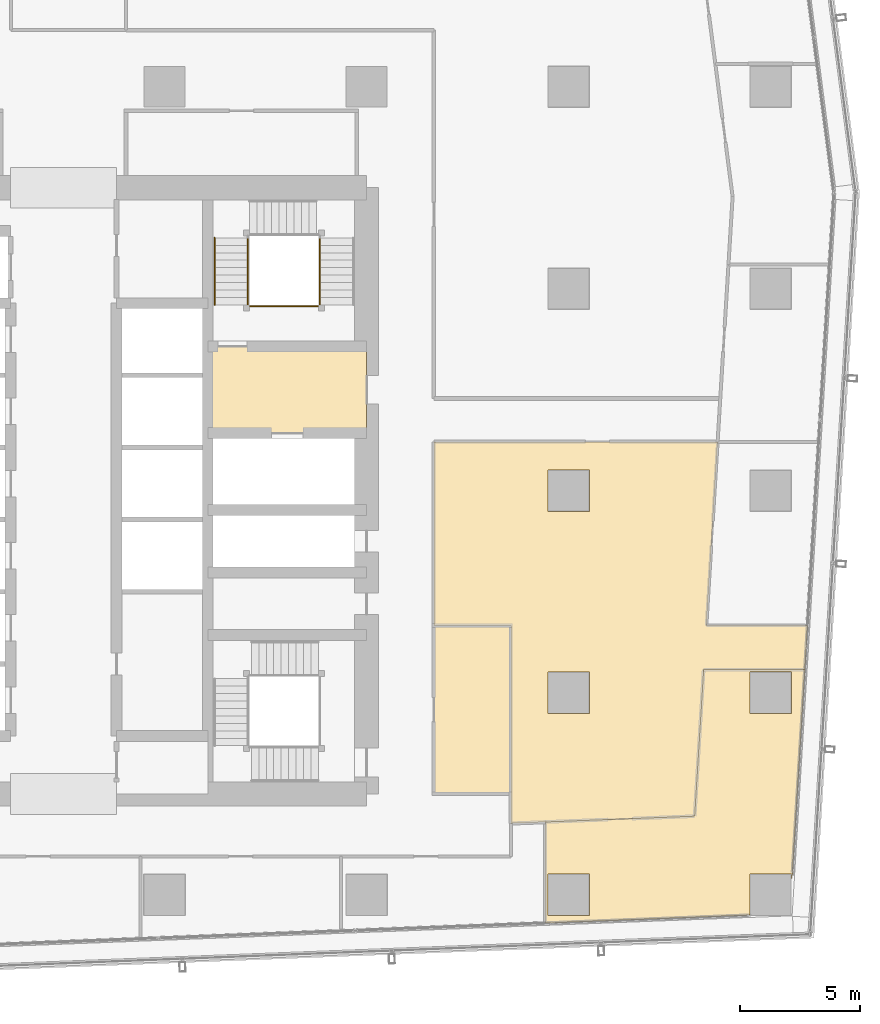
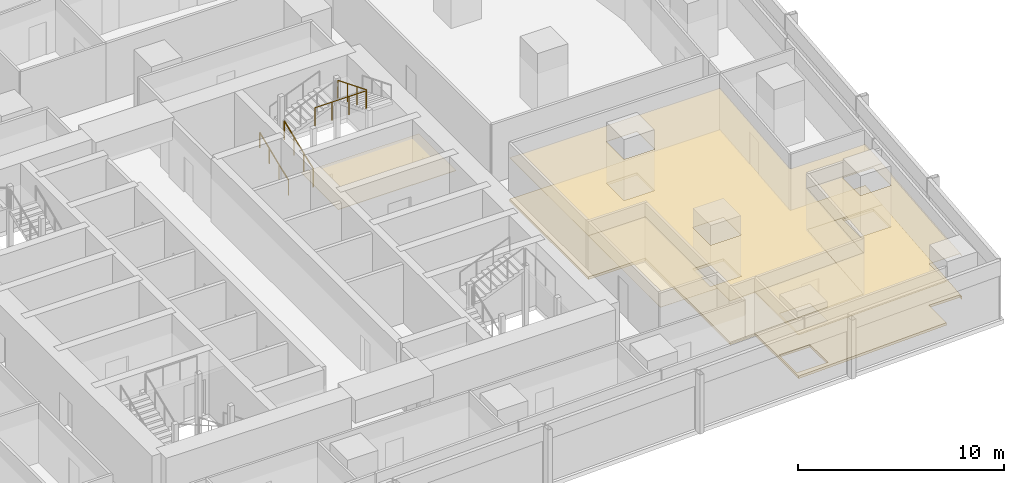
# One storey, part 38 of 40: 6 coverings, 4 railings.
"""IFC4 building model written with IfcOpenShell, lengths in metres."""

from ifc_helpers import new_model, si_unit, direction, frame, origin, origin_2d, place, context, subcontext, project, spatial, polyline, circle, outline, extrude, material, layer, layer_set, type_object, element, save


model = new_model("IFC4")

# Units and contexts
model_context = context("Model", 3, precision=1e-05, world=origin(), true_north=direction((0.0, 1.0)))
body_context = subcontext(model_context, "Body", "Model", "MODEL_VIEW")
ifc_project = project(units=[si_unit("LENGTHUNIT", "METRE"), si_unit("AREAUNIT", "SQUARE_METRE"), si_unit("VOLUMEUNIT", "CUBIC_METRE"), si_unit("PLANEANGLEUNIT", "RADIAN"), si_unit("MASSUNIT", "GRAM", prefix="KILO")], contexts=[model_context])

# Site, building, storey
site_placement = place(None, origin())
site = spatial("IfcSite", under=ifc_project, at=site_placement, CompositionType="ELEMENT")
building_placement = place(site_placement, origin())
building = spatial("IfcBuilding", under=site, at=building_placement, Name="Rekha Terrace Tower", CompositionType="ELEMENT")
storey_placement = place(building_placement, frame((0.0, 0.0, 125.300048828125)))
storey = spatial("IfcBuildingStorey", under=building, at=storey_placement, Name="L31", CompositionType="ELEMENT", Elevation=125.300048828125)

# Coverings
ifc_material_1 = material(Name="Mineral fibre tile in exposed grid", Category="finish")
ifc_layer_1 = layer(ifc_material_1, 0.02001953125)
ifc_layer_set_1 = layer_set([ifc_layer_1], Name="Mineral fibre tile in exposed grid")
covering_type_1 = type_object("IfcCoveringType", Name="CL1 600x1200 office grid ceiling", PredefinedType="CEILING", material=ifc_layer_set_1)
covering_1_placement = place(storey_placement, frame((0.0, 0.0, 2.579833984375)))
element("IfcCovering", 1, at=covering_1_placement, inside=storey, type_object=covering_type_1, Name="Ceiling L31-O1b", PredefinedType="CEILING", context=body_context, shape_type="SweptSolid", body=[
    extrude(outline(polyline([(64.9951171875, 35.636962890625), (53.199951171875, 35.636962890625), (53.199951171875, 28.0009765625), (56.39990234375, 28.0009765625), (56.39990234375, 19.77392578125), (57.85205078125, 19.8310546875), (64.041015625, 20.071044921875), (64.4150390625, 26.166015625), (68.623046875, 26.166015625), (68.735107421875, 28.0), (64.527099609375, 28.0), (64.9951171875, 35.636962890625)]), holes=[polyline([(59.6650390625, 26.06494140625), (59.6650390625, 24.3349609375), (57.93505859375, 24.3349609375), (57.93505859375, 26.06494140625), (59.6650390625, 26.06494140625)]), polyline([(59.6650390625, 32.735107421875), (57.93505859375, 32.735107421875), (57.93505859375, 34.465087890625), (59.6650390625, 34.465087890625), (59.6650390625, 32.735107421875)])]), origin(), (0.0, 0.0, 1.0), 0.02001953125),
])
covering_2_placement = place(storey_placement, frame((0.0, 0.0, 2.579833984375)))
element("IfcCovering", 2, at=covering_2_placement, inside=storey, type_object=covering_type_1, Name="Ceiling L31-18", PredefinedType="CEILING", context=body_context, shape_type="SweptSolid", body=[
    extrude(outline(polyline([(68.090087890625, 17.47998046875), (68.623046875, 26.166015625), (64.4150390625, 26.166015625), (64.041015625, 20.071044921875), (57.8369140625, 19.830078125), (57.8369140625, 15.6259765625), (66.3349609375, 15.95703125), (66.3349609375, 17.6650390625), (68.06494140625, 17.6650390625), (68.06494140625, 17.48095703125), (68.090087890625, 17.47998046875)]), holes=[polyline([(68.06494140625, 24.3349609375), (66.3349609375, 24.3349609375), (66.3349609375, 26.06494140625), (68.06494140625, 26.06494140625), (68.06494140625, 24.3349609375)]), polyline([(59.6650390625, 15.93505859375), (57.93505859375, 15.93505859375), (57.93505859375, 17.6650390625), (59.6650390625, 17.6650390625), (59.6650390625, 15.93505859375)])]), origin(), (0.0, 0.0, 1.0), 0.02001953125),
])
ifc_material_2 = material(Name="Fibre cement board", Category="finish")
ifc_layer_2 = layer(ifc_material_2, 0.014892578125)
ifc_layer_set_2 = layer_set([ifc_layer_2], Name="Fibre cement board")
covering_type_2 = type_object("IfcCoveringType", Name="CL2 moisture-resistant board ceiling", PredefinedType="CEILING", material=ifc_layer_set_2)
covering_3_placement = place(storey_placement, frame((0.0, 0.0, 2.5849609375)))
element("IfcCovering", 3, at=covering_3_placement, inside=storey, type_object=covering_type_2, Name="Ceiling L31-WCM2", PredefinedType="CEILING", context=body_context, shape_type="SweptSolid", body=[
    extrude(outline(polyline([(56.39990234375, 28.0), (53.199951171875, 28.0), (53.199951171875, 21.0), (56.39990234375, 21.0), (56.39990234375, 28.0)])), origin(), (0.0, 0.0, 1.0), 0.014892578125),
])
ifc_material_3 = material(Name="Powder-coated aluminium pan", Category="aluminium")
ifc_layer_3 = layer(ifc_material_3, 0.030029296875)
ifc_layer_set_3 = layer_set([ifc_layer_3], Name="Powder-coated aluminium pan")
covering_type_3 = type_object("IfcCoveringType", Name="CL3 300x1200 metal pan ceiling", PredefinedType="CEILING", material=ifc_layer_set_3)
covering_4_placement = place(storey_placement, frame((0.0, 0.0, 2.570068359375)))
element("IfcCovering", 4, at=covering_4_placement, inside=storey, type_object=covering_type_3, Name="Ceiling L31-FLB2", PredefinedType="CEILING", context=body_context, shape_type="SweptSolid", body=[
    extrude(outline(polyline([(50.39990234375, 39.60009765625), (43.800048828125, 39.60009765625), (43.800048828125, 36.0), (50.39990234375, 36.0), (50.39990234375, 39.60009765625)])), origin(), (0.0, 0.0, 1.0), 0.02978515625),
])

# Railings
ifc_material_4 = material(Name="Stainless steel balustrade", Category="steel")
railing_type_1 = type_object("IfcRailingType", Name="GR1 1100 stair guard", PredefinedType="GUARDRAIL", material=ifc_material_4)
railing_1_placement = place(storey_placement, frame((45.465087890625, 41.324951171875, 0.125)))
element("IfcRailing", 5, at=railing_1_placement, inside=storey, type_object=railing_type_1, Name="Guard ST2 L31 flight 1", PredefinedType="GUARDRAIL", context=body_context, shape_type="SweptSolid", body=[
    extrude(circle(Radius=0.02392578125, at=origin_2d()), frame((0.0, 0.0, 1.076171875), z_axis=(0.0, 0.927443287984, 0.373963831907), x_axis=(-1.0, 0.0, 0.0)), (0.0, 0.0, 1.0), 3.00830078125),
    extrude(circle(Radius=0.02099609375, at=origin_2d()), origin(), (0.0, 0.0, 1.0), 1.052001953125),
    extrude(circle(Radius=0.02099609375, at=origin_2d()), frame((0.0, 0.929931640625, 0.375)), (0.0, 0.0, 1.0), 1.052001953125),
    extrude(circle(Radius=0.02099609375, at=origin_2d()), frame((0.0, 1.860107421875, 0.75)), (0.0, 0.0, 1.0), 1.052001953125),
    extrude(circle(Radius=0.02099609375, at=origin_2d()), frame((0.0, 2.7900390625, 1.125)), (0.0, 0.0, 1.0), 1.052001953125),
])
railing_2_placement = place(storey_placement, frame((48.4599609375, 44.114990234375, 2.625)))
element("IfcRailing", 6, at=railing_2_placement, inside=storey, type_object=railing_type_1, Name="Guard ST2 L31 flight 3", PredefinedType="GUARDRAIL", context=body_context, shape_type="SweptSolid", body=[
    extrude(circle(Radius=0.02392578125, at=origin_2d()), frame((0.0, 0.0, 1.076171875), z_axis=(0.0, -0.927443287984, 0.373963831907), x_axis=(1.0, 0.0, 0.0)), (0.0, 0.0, 1.0), 3.00830078125),
    extrude(circle(Radius=0.02099609375, at=origin_2d()), origin(), (0.0, 0.0, 1.0), 1.052001953125),
    extrude(circle(Radius=0.02099609375, at=origin_2d()), frame((0.0, -0.929931640625, 0.375)), (0.0, 0.0, 1.0), 1.052001953125),
    extrude(circle(Radius=0.02099609375, at=origin_2d()), frame((0.0, -1.860107421875, 0.75)), (0.0, 0.0, 1.0), 1.052001953125),
    extrude(circle(Radius=0.02099609375, at=origin_2d()), frame((0.0, -2.7900390625, 1.125)), (0.0, 0.0, 1.0), 1.052001953125),
])
railing_3_placement = place(storey_placement, frame((45.52490234375, 41.264892578125, 3.75)))
element("IfcRailing", 7, at=railing_3_placement, inside=storey, type_object=railing_type_1, Name="Guard ST2 L31 landing 4", PredefinedType="GUARDRAIL", context=body_context, shape_type="SweptSolid", body=[
    extrude(circle(Radius=0.02392578125, at=origin_2d()), frame((0.0, 0.0, 1.076171875), z_axis=(1.0, 0.0, 0.0), x_axis=(0.0, 1.0, 0.0)), (0.0, 0.0, 1.0), 2.875),
    extrude(circle(Radius=0.02099609375, at=origin_2d()), origin(), (0.0, 0.0, 1.0), 1.052001953125),
    extrude(circle(Radius=0.02099609375, at=origin_2d()), frame((0.958251953125, 0.0, 0.0)), (0.0, 0.0, 1.0), 1.052001953125),
    extrude(circle(Radius=0.02099609375, at=origin_2d()), frame((1.916748046875, 0.0, 0.0)), (0.0, 0.0, 1.0), 1.052001953125),
    extrude(circle(Radius=0.02099609375, at=origin_2d()), frame((2.875, 0.0, 0.0)), (0.0, 0.0, 1.0), 1.052001953125),
])
ifc_material_5 = material(Name="Stainless steel tube", Category="steel")
railing_type_2 = type_object("IfcRailingType", Name="HR1 900 stair handrail", PredefinedType="HANDRAIL", material=ifc_material_5)
railing_4_placement = place(storey_placement, frame((44.0849609375, 41.324951171875, 0.125)))
element("IfcRailing", 8, at=railing_4_placement, inside=storey, type_object=railing_type_2, Name="Handrail ST2 L31 flight 1", PredefinedType="HANDRAIL", context=body_context, shape_type="SweptSolid", body=[
    extrude(circle(Radius=0.02392578125, at=origin_2d()), frame((0.0, 0.0, 0.8759765625), z_axis=(0.0, 0.927443287984, 0.373963831907), x_axis=(-1.0, 0.0, 0.0)), (0.0, 0.0, 1.0), 3.00830078125),
    extrude(circle(Radius=0.02099609375, at=origin_2d()), origin(), (0.0, 0.0, 1.0), 0.851806640625),
    extrude(circle(Radius=0.02099609375, at=origin_2d()), frame((0.0, 0.929931640625, 0.375)), (0.0, 0.0, 1.0), 0.851806640625),
    extrude(circle(Radius=0.02099609375, at=origin_2d()), frame((0.0, 1.860107421875, 0.75)), (0.0, 0.0, 1.0), 0.851806640625),
    extrude(circle(Radius=0.02099609375, at=origin_2d()), frame((0.0, 2.7900390625, 1.125)), (0.0, 0.0, 1.0), 0.851806640625),
])

# Coverings
ifc_material_6 = material(Name="Calcium sulphate panels on steel pedestals", Category="steel")
ifc_layer_4 = layer(ifc_material_6, 0.14990234375)
ifc_layer_set_4 = layer_set([ifc_layer_4], Name="Calcium sulphate panels on steel pedestals")
covering_type_4 = type_object("IfcCoveringType", Name="RF1 150 raised access floor", PredefinedType="FLOORING", material=ifc_layer_set_4)
covering_5_placement = place(storey_placement, origin())
element("IfcCovering", 9, at=covering_5_placement, inside=storey, type_object=covering_type_4, Name="Raised floor L31-O1b", PredefinedType="FLOORING", context=body_context, shape_type="SweptSolid", body=[
    extrude(outline(polyline([(64.9951171875, 35.636962890625), (53.199951171875, 35.636962890625), (53.199951171875, 28.0009765625), (56.39990234375, 28.0009765625), (56.39990234375, 19.77392578125), (57.85205078125, 19.8310546875), (64.041015625, 20.071044921875), (64.4150390625, 26.166015625), (68.623046875, 26.166015625), (68.735107421875, 28.0), (64.527099609375, 28.0), (64.9951171875, 35.636962890625)]), holes=[polyline([(59.6650390625, 26.06494140625), (59.6650390625, 24.3349609375), (57.93505859375, 24.3349609375), (57.93505859375, 26.06494140625), (59.6650390625, 26.06494140625)]), polyline([(59.6650390625, 32.735107421875), (57.93505859375, 32.735107421875), (57.93505859375, 34.465087890625), (59.6650390625, 34.465087890625), (59.6650390625, 32.735107421875)])]), origin(), (0.0, 0.0, 1.0), 0.14990234375),
])
covering_6_placement = place(storey_placement, origin())
element("IfcCovering", 10, at=covering_6_placement, inside=storey, type_object=covering_type_4, Name="Raised floor L31-18", PredefinedType="FLOORING", context=body_context, shape_type="SweptSolid", body=[
    extrude(outline(polyline([(68.090087890625, 17.47998046875), (68.623046875, 26.166015625), (64.4150390625, 26.166015625), (64.041015625, 20.071044921875), (57.8369140625, 19.830078125), (57.8369140625, 15.6259765625), (66.3349609375, 15.95703125), (66.3349609375, 17.6650390625), (68.06494140625, 17.6650390625), (68.06494140625, 17.48095703125), (68.090087890625, 17.47998046875)]), holes=[polyline([(68.06494140625, 24.3349609375), (66.3349609375, 24.3349609375), (66.3349609375, 26.06494140625), (68.06494140625, 26.06494140625), (68.06494140625, 24.3349609375)]), polyline([(59.6650390625, 15.93505859375), (57.93505859375, 15.93505859375), (57.93505859375, 17.6650390625), (59.6650390625, 17.6650390625), (59.6650390625, 15.93505859375)])]), origin(), (0.0, 0.0, 1.0), 0.14990234375),
])

save(model, "model.ifc")
